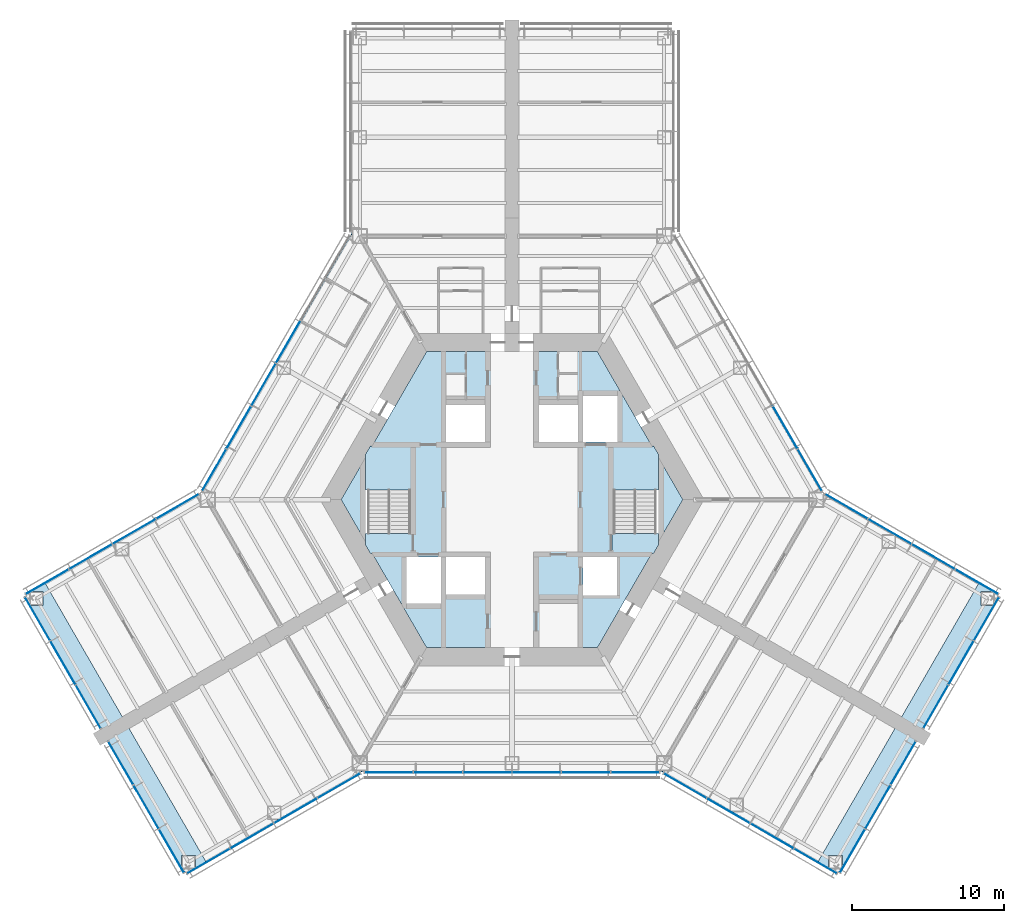
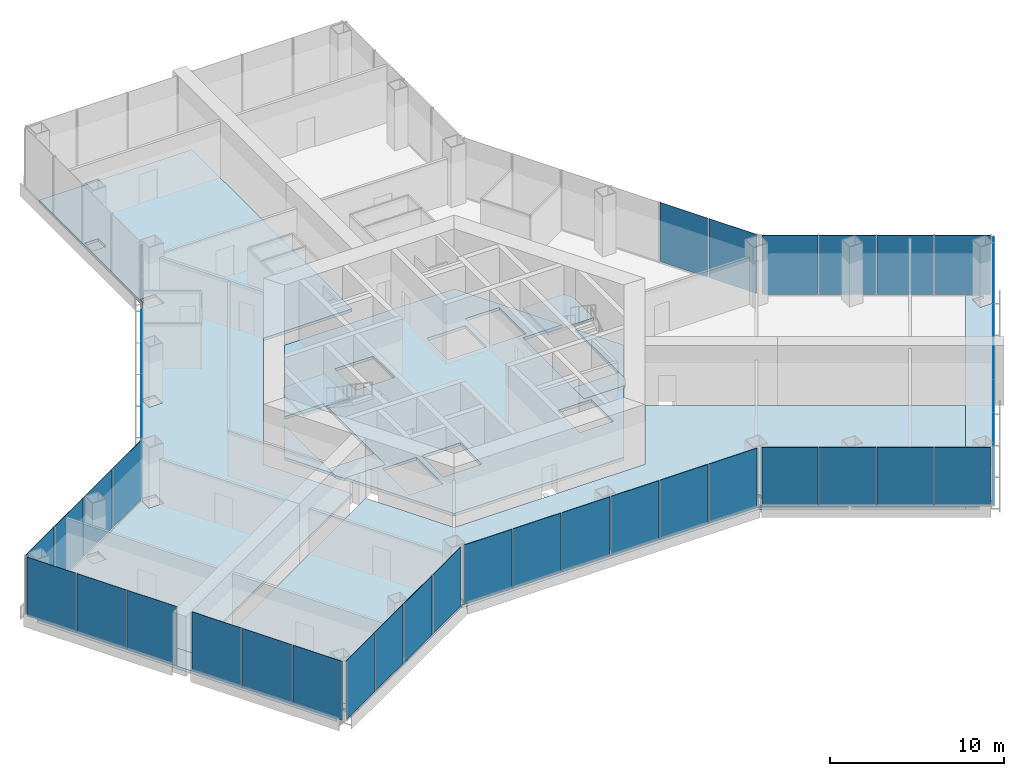
# One storey, part 9 of 16: 40 plates, 11 slabs, 13 elements without a shape of their own.
"""IFC4 building model written with IfcOpenShell, lengths in metres."""

from ifc_helpers import new_model, si_unit, direction, frame, origin, origin_2d, place, context, subcontext, project, spatial, polyline, rectangle, outline, extrude, material, layer, layer_set, type_object, element, aggregate, save


model = new_model("IFC4")

# Units and contexts
model_context = context("Model", 3, precision=1e-05, world=origin(), true_north=direction((0.0, 1.0)))
body_context = subcontext(model_context, "Body", "Model", "MODEL_VIEW")
ifc_project = project(units=[si_unit("LENGTHUNIT", "METRE"), si_unit("AREAUNIT", "SQUARE_METRE"), si_unit("VOLUMEUNIT", "CUBIC_METRE"), si_unit("PLANEANGLEUNIT", "RADIAN"), si_unit("MASSUNIT", "GRAM", prefix="KILO")], contexts=[model_context])

# Site, building, storey
site_placement = place(None, origin())
site = spatial("IfcSite", under=ifc_project, at=site_placement, CompositionType="ELEMENT")
building_placement = place(site_placement, origin())
building = spatial("IfcBuilding", under=site, at=building_placement, Name="Kasaneha Research Tower", CompositionType="ELEMENT")
storey_placement = place(building_placement, frame((0.0, 0.0, 14.199951171875)))
storey = spatial("IfcBuildingStorey", under=building, at=storey_placement, Name="L04", CompositionType="ELEMENT", Elevation=14.199951171875)

# Curtain wall, plates
ifc_material_1 = material(Name="Glass and aluminium", Category="aluminium")
curtain_wall_type = type_object("IfcCurtainWallType", Name="Wet laboratory curtain wall", PredefinedType="USERDEFINED", material=ifc_material_1)
curtain_wall_1_placement = place(storey_placement, origin())
curtain_wall_1 = element("IfcCurtainWall", 1, at=curtain_wall_1_placement, inside=storey, type_object=curtain_wall_type, Name="CW-L1 L04 run 01a", ObjectType="UNITISED CURTAIN WALL", PredefinedType="USERDEFINED")
ifc_material_2 = material(Name="Laminated double glazing", Category="glass")
ifc_layer_1 = layer(ifc_material_2, 0.030029296875)
ifc_layer_set_1 = layer_set([ifc_layer_1], Name="CW-L1 glazed panel")
plate_type = type_object("IfcPlateType", Name="CW-L1 glazed panel", PredefinedType="CURTAIN_PANEL", material=ifc_layer_set_1)
plate_1_placement = place(storey_placement, frame((-19.944091796875, -23.754638671875, 0.06494140625), z_axis=(0.0, 0.0, 1.0), x_axis=(0.866025411464, 0.499999986699, 0.0)))
plate_1 = element("IfcPlate", 2, at=plate_1_placement, type_object=plate_type, Name="CW-L1 panel 1", PredefinedType="CURTAIN_PANEL", context=body_context, shape_type="SweptSolid", body=[
    extrude(rectangle(XDim=3.21240234375, YDim=0.030029296875, at=origin_2d()), origin(), (0.0, 0.0, 1.0), 4.135009765625),
])
plate_2_placement = place(storey_placement, frame((-17.091796875, -22.107666015625, 0.06494140625), z_axis=(0.0, 0.0, 1.0), x_axis=(0.866025411464, 0.499999986699, 0.0)))
plate_2 = element("IfcPlate", 3, at=plate_2_placement, type_object=plate_type, Name="CW-L1 panel 2", PredefinedType="CURTAIN_PANEL", context=body_context, shape_type="SweptSolid", body=[
    extrude(rectangle(XDim=3.244873046875, YDim=0.030029296875, at=origin_2d()), origin(), (0.0, 0.0, 1.0), 4.135009765625),
])
plate_3_placement = place(storey_placement, frame((-14.225341796875, -20.452880859375, 0.06494140625), z_axis=(0.0, 0.0, 1.0), x_axis=(0.866025411464, 0.499999986699, 0.0)))
plate_3 = element("IfcPlate", 4, at=plate_3_placement, type_object=plate_type, Name="CW-L1 panel 3", PredefinedType="CURTAIN_PANEL", context=body_context, shape_type="SweptSolid", body=[
    extrude(rectangle(XDim=3.244873046875, YDim=0.030029296875, at=origin_2d()), origin(), (0.0, 0.0, 1.0), 4.135009765625),
])
plate_4_placement = place(storey_placement, frame((-11.373046875, -18.80615234375, 0.06494140625), z_axis=(0.0, 0.0, 1.0), x_axis=(0.866025411464, 0.499999986699, 0.0)))
plate_4 = element("IfcPlate", 5, at=plate_4_placement, type_object=plate_type, Name="CW-L1 panel 4", PredefinedType="CURTAIN_PANEL", context=body_context, shape_type="SweptSolid", body=[
    extrude(rectangle(XDim=3.21240234375, YDim=0.030029296875, at=origin_2d()), origin(), (0.0, 0.0, 1.0), 4.135009765625),
])
aggregate(curtain_wall_1, [plate_1, plate_2, plate_3, plate_4])

curtain_wall_2_placement = place(storey_placement, origin())
curtain_wall_2 = element("IfcCurtainWall", 6, at=curtain_wall_2_placement, inside=storey, type_object=curtain_wall_type, Name="CW-L1 L04 run 02a", ObjectType="UNITISED CURTAIN WALL", PredefinedType="USERDEFINED")
plate_5_placement = place(storey_placement, frame((-8.099853515625, -17.92041015625, 0.06494140625), z_axis=(0.0, 0.0, 1.0), x_axis=(1.0, 0.0, 0.0)))
plate_5 = element("IfcPlate", 7, at=plate_5_placement, type_object=plate_type, Name="CW-L1 panel 1", PredefinedType="CURTAIN_PANEL", context=body_context, shape_type="SweptSolid", body=[
    extrude(rectangle(XDim=3.14892578125, YDim=0.030029296875, at=origin_2d()), origin(), (0.0, 0.0, 1.0), 4.135009765625),
])
plate_6_placement = place(storey_placement, frame((-4.86962890625, -17.92041015625, 0.06494140625), z_axis=(0.0, 0.0, 1.0), x_axis=(1.0, 0.0, 0.0)))
plate_6 = element("IfcPlate", 8, at=plate_6_placement, type_object=plate_type, Name="CW-L1 panel 2", PredefinedType="CURTAIN_PANEL", context=body_context, shape_type="SweptSolid", body=[
    extrude(rectangle(XDim=3.181396484375, YDim=0.030029296875, at=origin_2d()), origin(), (0.0, 0.0, 1.0), 4.135009765625),
])
plate_7_placement = place(storey_placement, frame((-1.623291015625, -17.92041015625, 0.06494140625), z_axis=(0.0, 0.0, 1.0), x_axis=(1.0, 0.0, 0.0)))
plate_7 = element("IfcPlate", 9, at=plate_7_placement, type_object=plate_type, Name="CW-L1 panel 3", PredefinedType="CURTAIN_PANEL", context=body_context, shape_type="SweptSolid", body=[
    extrude(rectangle(XDim=3.181396484375, YDim=0.030029296875, at=origin_2d()), origin(), (0.0, 0.0, 1.0), 4.135009765625),
])
plate_8_placement = place(storey_placement, frame((1.623291015625, -17.92041015625, 0.06494140625), z_axis=(0.0, 0.0, 1.0), x_axis=(1.0, 0.0, 0.0)))
plate_8 = element("IfcPlate", 10, at=plate_8_placement, type_object=plate_type, Name="CW-L1 panel 4", PredefinedType="CURTAIN_PANEL", context=body_context, shape_type="SweptSolid", body=[
    extrude(rectangle(XDim=3.181396484375, YDim=0.030029296875, at=origin_2d()), origin(), (0.0, 0.0, 1.0), 4.135009765625),
])
plate_9_placement = place(storey_placement, frame((4.86962890625, -17.92041015625, 0.06494140625), z_axis=(0.0, 0.0, 1.0), x_axis=(1.0, 0.0, 0.0)))
plate_9 = element("IfcPlate", 11, at=plate_9_placement, type_object=plate_type, Name="CW-L1 panel 5", PredefinedType="CURTAIN_PANEL", context=body_context, shape_type="SweptSolid", body=[
    extrude(rectangle(XDim=3.181396484375, YDim=0.030029296875, at=origin_2d()), origin(), (0.0, 0.0, 1.0), 4.135009765625),
])
plate_10_placement = place(storey_placement, frame((8.099853515625, -17.92041015625, 0.06494140625), z_axis=(0.0, 0.0, 1.0), x_axis=(1.0, 0.0, 0.0)))
plate_10 = element("IfcPlate", 12, at=plate_10_placement, type_object=plate_type, Name="CW-L1 panel 6", PredefinedType="CURTAIN_PANEL", context=body_context, shape_type="SweptSolid", body=[
    extrude(rectangle(XDim=3.14892578125, YDim=0.030029296875, at=origin_2d()), origin(), (0.0, 0.0, 1.0), 4.135009765625),
])
aggregate(curtain_wall_2, [plate_5, plate_6, plate_7, plate_8, plate_9, plate_10])

curtain_wall_3_placement = place(storey_placement, origin())
curtain_wall_3 = element("IfcCurtainWall", 13, at=curtain_wall_3_placement, inside=storey, type_object=curtain_wall_type, Name="CW-L1 L04 run 03a", ObjectType="UNITISED CURTAIN WALL", PredefinedType="USERDEFINED")
plate_11_placement = place(storey_placement, frame((11.373046875, -18.80615234375, 0.06494140625), z_axis=(0.0, 0.0, 1.0), x_axis=(0.866025411464, -0.499999986699, 0.0)))
plate_11 = element("IfcPlate", 14, at=plate_11_placement, type_object=plate_type, Name="CW-L1 panel 1", PredefinedType="CURTAIN_PANEL", context=body_context, shape_type="SweptSolid", body=[
    extrude(rectangle(XDim=3.21240234375, YDim=0.030029296875, at=origin_2d()), origin(), (0.0, 0.0, 1.0), 4.135009765625),
])
plate_12_placement = place(storey_placement, frame((14.225341796875, -20.452880859375, 0.06494140625), z_axis=(0.0, 0.0, 1.0), x_axis=(0.866025411464, -0.499999986699, 0.0)))
plate_12 = element("IfcPlate", 15, at=plate_12_placement, type_object=plate_type, Name="CW-L1 panel 2", PredefinedType="CURTAIN_PANEL", context=body_context, shape_type="SweptSolid", body=[
    extrude(rectangle(XDim=3.244873046875, YDim=0.030029296875, at=origin_2d()), origin(), (0.0, 0.0, 1.0), 4.135009765625),
])
plate_13_placement = place(storey_placement, frame((17.091796875, -22.107666015625, 0.06494140625), z_axis=(0.0, 0.0, 1.0), x_axis=(0.866025411464, -0.499999986699, 0.0)))
plate_13 = element("IfcPlate", 16, at=plate_13_placement, type_object=plate_type, Name="CW-L1 panel 3", PredefinedType="CURTAIN_PANEL", context=body_context, shape_type="SweptSolid", body=[
    extrude(rectangle(XDim=3.244873046875, YDim=0.030029296875, at=origin_2d()), origin(), (0.0, 0.0, 1.0), 4.135009765625),
])
plate_14_placement = place(storey_placement, frame((19.944091796875, -23.754638671875, 0.06494140625), z_axis=(0.0, 0.0, 1.0), x_axis=(0.866025411464, -0.499999986699, 0.0)))
plate_14 = element("IfcPlate", 17, at=plate_14_placement, type_object=plate_type, Name="CW-L1 panel 4", PredefinedType="CURTAIN_PANEL", context=body_context, shape_type="SweptSolid", body=[
    extrude(rectangle(XDim=3.21240234375, YDim=0.030029296875, at=origin_2d()), origin(), (0.0, 0.0, 1.0), 4.135009765625),
])
aggregate(curtain_wall_3, [plate_11, plate_12, plate_13, plate_14])

curtain_wall_4_placement = place(storey_placement, origin())
curtain_wall_4 = element("IfcCurtainWall", 18, at=curtain_wall_4_placement, inside=storey, type_object=curtain_wall_type, Name="CW-L1 L04 run 04a", ObjectType="UNITISED CURTAIN WALL", PredefinedType="USERDEFINED")
plate_15_placement = place(storey_placement, frame((22.37353515625, -23.0888671875, 0.06494140625), z_axis=(0.0, 0.0, 1.0), x_axis=(0.500000011442, 0.866025397178, 0.0)))
plate_15 = element("IfcPlate", 19, at=plate_15_placement, type_object=plate_type, Name="CW-L1 panel 1", PredefinedType="CURTAIN_PANEL", context=body_context, shape_type="SweptSolid", body=[
    extrude(rectangle(XDim=3.25244140625, YDim=0.030029296875, at=origin_2d()), origin(), (0.0, 0.0, 1.0), 4.135009765625),
])
plate_16_placement = place(storey_placement, frame((24.04052734375, -20.20166015625, 0.06494140625), z_axis=(0.0, 0.0, 1.0), x_axis=(0.500000011442, 0.866025397178, 0.0)))
plate_16 = element("IfcPlate", 20, at=plate_16_placement, type_object=plate_type, Name="CW-L1 panel 2", PredefinedType="CURTAIN_PANEL", context=body_context, shape_type="SweptSolid", body=[
    extrude(rectangle(XDim=3.284912109375, YDim=0.030029296875, at=origin_2d()), origin(), (0.0, 0.0, 1.0), 4.135009765625),
])
plate_17_placement = place(storey_placement, frame((25.707275390625, -17.314697265625, 0.06494140625), z_axis=(0.0, 0.0, 1.0), x_axis=(0.500000011442, 0.866025397178, 0.0)))
plate_17 = element("IfcPlate", 21, at=plate_17_placement, type_object=plate_type, Name="CW-L1 panel 3", PredefinedType="CURTAIN_PANEL", context=body_context, shape_type="SweptSolid", body=[
    extrude(rectangle(XDim=3.25244140625, YDim=0.030029296875, at=origin_2d()), origin(), (0.0, 0.0, 1.0), 4.135009765625),
])
aggregate(curtain_wall_4, [plate_15, plate_16, plate_17])

curtain_wall_5_placement = place(storey_placement, origin())
curtain_wall_5 = element("IfcCurtainWall", 22, at=curtain_wall_5_placement, inside=storey, type_object=curtain_wall_type, Name="CW-L1 L04 run 05a", ObjectType="UNITISED CURTAIN WALL", PredefinedType="USERDEFINED")
plate_18_placement = place(storey_placement, frame((27.8486328125, -13.60595703125, 0.06494140625), z_axis=(0.0, 0.0, 1.0), x_axis=(0.500000011442, 0.866025397178, 0.0)))
plate_18 = element("IfcPlate", 23, at=plate_18_placement, type_object=plate_type, Name="CW-L1 panel 1", PredefinedType="CURTAIN_PANEL", context=body_context, shape_type="SweptSolid", body=[
    extrude(rectangle(XDim=3.25244140625, YDim=0.030029296875, at=origin_2d()), origin(), (0.0, 0.0, 1.0), 4.135009765625),
])
plate_19_placement = place(storey_placement, frame((29.515380859375, -10.71875, 0.06494140625), z_axis=(0.0, 0.0, 1.0), x_axis=(0.500000011442, 0.866025397178, 0.0)))
plate_19 = element("IfcPlate", 24, at=plate_19_placement, type_object=plate_type, Name="CW-L1 panel 2", PredefinedType="CURTAIN_PANEL", context=body_context, shape_type="SweptSolid", body=[
    extrude(rectangle(XDim=3.284912109375, YDim=0.030029296875, at=origin_2d()), origin(), (0.0, 0.0, 1.0), 4.135009765625),
])
plate_20_placement = place(storey_placement, frame((31.182373046875, -7.83154296875, 0.06494140625), z_axis=(0.0, 0.0, 1.0), x_axis=(0.500000011442, 0.866025397178, 0.0)))
plate_20 = element("IfcPlate", 25, at=plate_20_placement, type_object=plate_type, Name="CW-L1 panel 3", PredefinedType="CURTAIN_PANEL", context=body_context, shape_type="SweptSolid", body=[
    extrude(rectangle(XDim=3.25244140625, YDim=0.030029296875, at=origin_2d()), origin(), (0.0, 0.0, 1.0), 4.135009765625),
])
aggregate(curtain_wall_5, [plate_18, plate_19, plate_20])

curtain_wall_6_placement = place(storey_placement, origin())
curtain_wall_6 = element("IfcCurtainWall", 26, at=curtain_wall_6_placement, inside=storey, type_object=curtain_wall_type, Name="CW-L1 L04 run 06a", ObjectType="UNITISED CURTAIN WALL", PredefinedType="USERDEFINED")
plate_21_placement = place(storey_placement, frame((30.544189453125, -5.394775390625, 0.06494140625), z_axis=(0.0, 0.0, 1.0), x_axis=(-0.866025411464, 0.499999986699, 0.0)))
plate_21 = element("IfcPlate", 27, at=plate_21_placement, type_object=plate_type, Name="CW-L1 panel 1", PredefinedType="CURTAIN_PANEL", context=body_context, shape_type="SweptSolid", body=[
    extrude(rectangle(XDim=3.21240234375, YDim=0.030029296875, at=origin_2d()), origin(), (0.0, 0.0, 1.0), 4.135009765625),
])
plate_22_placement = place(storey_placement, frame((27.69189453125, -3.748046875, 0.06494140625), z_axis=(0.0, 0.0, 1.0), x_axis=(-0.866025411464, 0.499999986699, 0.0)))
plate_22 = element("IfcPlate", 28, at=plate_22_placement, type_object=plate_type, Name="CW-L1 panel 2", PredefinedType="CURTAIN_PANEL", context=body_context, shape_type="SweptSolid", body=[
    extrude(rectangle(XDim=3.244873046875, YDim=0.030029296875, at=origin_2d()), origin(), (0.0, 0.0, 1.0), 4.135009765625),
])
plate_23_placement = place(storey_placement, frame((24.825439453125, -2.093017578125, 0.06494140625), z_axis=(0.0, 0.0, 1.0), x_axis=(-0.866025411464, 0.499999986699, 0.0)))
plate_23 = element("IfcPlate", 29, at=plate_23_placement, type_object=plate_type, Name="CW-L1 panel 3", PredefinedType="CURTAIN_PANEL", context=body_context, shape_type="SweptSolid", body=[
    extrude(rectangle(XDim=3.244873046875, YDim=0.030029296875, at=origin_2d()), origin(), (0.0, 0.0, 1.0), 4.135009765625),
])
plate_24_placement = place(storey_placement, frame((21.97314453125, -0.4462890625, 0.06494140625), z_axis=(0.0, 0.0, 1.0), x_axis=(-0.866025411464, 0.499999986699, 0.0)))
plate_24 = element("IfcPlate", 30, at=plate_24_placement, type_object=plate_type, Name="CW-L1 panel 4", PredefinedType="CURTAIN_PANEL", context=body_context, shape_type="SweptSolid", body=[
    extrude(rectangle(XDim=3.21240234375, YDim=0.030029296875, at=origin_2d()), origin(), (0.0, 0.0, 1.0), 4.135009765625),
])
aggregate(curtain_wall_6, [plate_21, plate_22, plate_23, plate_24])

curtain_wall_7_placement = place(storey_placement, origin())
curtain_wall_7 = element("IfcCurtainWall", 31, at=curtain_wall_7_placement, inside=storey, type_object=curtain_wall_type, Name="CW-L1 L04 run 07a", ObjectType="UNITISED CURTAIN WALL", PredefinedType="USERDEFINED")
plate_25_placement = place(storey_placement, frame((19.569580078125, 1.945556640625, 0.06494140625), z_axis=(0.0, 0.0, 1.0), x_axis=(-0.49999996188, 0.866025425793, 0.0)))
plate_25 = element("IfcPlate", 32, at=plate_25_placement, type_object=plate_type, Name="CW-L1 panel 1", PredefinedType="CURTAIN_PANEL", context=body_context, shape_type="SweptSolid", body=[
    extrude(rectangle(XDim=3.14892578125, YDim=0.030029296875, at=origin_2d()), origin(), (0.0, 0.0, 1.0), 4.135009765625),
])
plate_26_placement = place(storey_placement, frame((17.954345703125, 4.7431640625, 0.06494140625), z_axis=(0.0, 0.0, 1.0), x_axis=(-0.49999996188, 0.866025425793, 0.0)))
plate_26 = element("IfcPlate", 33, at=plate_26_placement, type_object=plate_type, Name="CW-L1 panel 2", PredefinedType="CURTAIN_PANEL", context=body_context, shape_type="SweptSolid", body=[
    extrude(rectangle(XDim=3.181396484375, YDim=0.030029296875, at=origin_2d()), origin(), (0.0, 0.0, 1.0), 4.135009765625),
])
aggregate(curtain_wall_7, [plate_25, plate_26])

curtain_wall_8_placement = place(storey_placement, origin())
curtain_wall_8 = element("IfcCurtainWall", 34, at=curtain_wall_8_placement, inside=storey, type_object=curtain_wall_type, Name="CW-L1 L04 run 12a", ObjectType="UNITISED CURTAIN WALL", PredefinedType="USERDEFINED")
plate_27_placement = place(storey_placement, frame((-14.7080078125, 10.365966796875, 0.06494140625), z_axis=(0.0, 0.0, 1.0), x_axis=(-0.49999996188, -0.866025425793, 0.0)))
plate_27 = element("IfcPlate", 35, at=plate_27_placement, type_object=plate_type, Name="CW-L1 panel 3", PredefinedType="CURTAIN_PANEL", context=body_context, shape_type="SweptSolid", body=[
    extrude(rectangle(XDim=3.181396484375, YDim=0.030029296875, at=origin_2d()), origin(), (0.0, 0.0, 1.0), 4.135009765625),
])
plate_28_placement = place(storey_placement, frame((-16.331298828125, 7.554443359375, 0.06494140625), z_axis=(0.0, 0.0, 1.0), x_axis=(-0.49999996188, -0.866025425793, 0.0)))
plate_28 = element("IfcPlate", 36, at=plate_28_placement, type_object=plate_type, Name="CW-L1 panel 4", PredefinedType="CURTAIN_PANEL", context=body_context, shape_type="SweptSolid", body=[
    extrude(rectangle(XDim=3.181396484375, YDim=0.030029296875, at=origin_2d()), origin(), (0.0, 0.0, 1.0), 4.135009765625),
])
plate_29_placement = place(storey_placement, frame((-17.954345703125, 4.7431640625, 0.06494140625), z_axis=(0.0, 0.0, 1.0), x_axis=(-0.49999996188, -0.866025425793, 0.0)))
plate_29 = element("IfcPlate", 37, at=plate_29_placement, type_object=plate_type, Name="CW-L1 panel 5", PredefinedType="CURTAIN_PANEL", context=body_context, shape_type="SweptSolid", body=[
    extrude(rectangle(XDim=3.181396484375, YDim=0.030029296875, at=origin_2d()), origin(), (0.0, 0.0, 1.0), 4.135009765625),
])
plate_30_placement = place(storey_placement, frame((-19.569580078125, 1.945556640625, 0.06494140625), z_axis=(0.0, 0.0, 1.0), x_axis=(-0.49999996188, -0.866025425793, 0.0)))
plate_30 = element("IfcPlate", 38, at=plate_30_placement, type_object=plate_type, Name="CW-L1 panel 6", PredefinedType="CURTAIN_PANEL", context=body_context, shape_type="SweptSolid", body=[
    extrude(rectangle(XDim=3.14892578125, YDim=0.030029296875, at=origin_2d()), origin(), (0.0, 0.0, 1.0), 4.135009765625),
])
aggregate(curtain_wall_8, [plate_27, plate_28, plate_29, plate_30])

curtain_wall_9_placement = place(storey_placement, origin())
curtain_wall_9 = element("IfcCurtainWall", 39, at=curtain_wall_9_placement, inside=storey, type_object=curtain_wall_type, Name="CW-L1 L04 run 13a", ObjectType="UNITISED CURTAIN WALL", PredefinedType="USERDEFINED")
plate_31_placement = place(storey_placement, frame((-21.97314453125, -0.4462890625, 0.06494140625), z_axis=(0.0, 0.0, 1.0), x_axis=(-0.866025411464, -0.499999986699, 0.0)))
plate_31 = element("IfcPlate", 40, at=plate_31_placement, type_object=plate_type, Name="CW-L1 panel 1", PredefinedType="CURTAIN_PANEL", context=body_context, shape_type="SweptSolid", body=[
    extrude(rectangle(XDim=3.21240234375, YDim=0.030029296875, at=origin_2d()), origin(), (0.0, 0.0, 1.0), 4.135009765625),
])
plate_32_placement = place(storey_placement, frame((-24.825439453125, -2.093017578125, 0.06494140625), z_axis=(0.0, 0.0, 1.0), x_axis=(-0.866025411464, -0.499999986699, 0.0)))
plate_32 = element("IfcPlate", 41, at=plate_32_placement, type_object=plate_type, Name="CW-L1 panel 2", PredefinedType="CURTAIN_PANEL", context=body_context, shape_type="SweptSolid", body=[
    extrude(rectangle(XDim=3.244873046875, YDim=0.030029296875, at=origin_2d()), origin(), (0.0, 0.0, 1.0), 4.135009765625),
])
plate_33_placement = place(storey_placement, frame((-27.69189453125, -3.748046875, 0.06494140625), z_axis=(0.0, 0.0, 1.0), x_axis=(-0.866025411464, -0.499999986699, 0.0)))
plate_33 = element("IfcPlate", 42, at=plate_33_placement, type_object=plate_type, Name="CW-L1 panel 3", PredefinedType="CURTAIN_PANEL", context=body_context, shape_type="SweptSolid", body=[
    extrude(rectangle(XDim=3.244873046875, YDim=0.030029296875, at=origin_2d()), origin(), (0.0, 0.0, 1.0), 4.135009765625),
])
plate_34_placement = place(storey_placement, frame((-30.544189453125, -5.394775390625, 0.06494140625), z_axis=(0.0, 0.0, 1.0), x_axis=(-0.866025411464, -0.499999986699, 0.0)))
plate_34 = element("IfcPlate", 43, at=plate_34_placement, type_object=plate_type, Name="CW-L1 panel 4", PredefinedType="CURTAIN_PANEL", context=body_context, shape_type="SweptSolid", body=[
    extrude(rectangle(XDim=3.21240234375, YDim=0.030029296875, at=origin_2d()), origin(), (0.0, 0.0, 1.0), 4.135009765625),
])
aggregate(curtain_wall_9, [plate_31, plate_32, plate_33, plate_34])

curtain_wall_10_placement = place(storey_placement, origin())
curtain_wall_10 = element("IfcCurtainWall", 44, at=curtain_wall_10_placement, inside=storey, type_object=curtain_wall_type, Name="CW-L1 L04 run 14a", ObjectType="UNITISED CURTAIN WALL", PredefinedType="USERDEFINED")
plate_35_placement = place(storey_placement, frame((-31.182373046875, -7.83154296875, 0.06494140625), z_axis=(0.0, 0.0, 1.0), x_axis=(0.500000011442, -0.866025397178, 0.0)))
plate_35 = element("IfcPlate", 45, at=plate_35_placement, type_object=plate_type, Name="CW-L1 panel 1", PredefinedType="CURTAIN_PANEL", context=body_context, shape_type="SweptSolid", body=[
    extrude(rectangle(XDim=3.25244140625, YDim=0.030029296875, at=origin_2d()), origin(), (0.0, 0.0, 1.0), 4.135009765625),
])
plate_36_placement = place(storey_placement, frame((-29.515380859375, -10.71875, 0.06494140625), z_axis=(0.0, 0.0, 1.0), x_axis=(0.500000011442, -0.866025397178, 0.0)))
plate_36 = element("IfcPlate", 46, at=plate_36_placement, type_object=plate_type, Name="CW-L1 panel 2", PredefinedType="CURTAIN_PANEL", context=body_context, shape_type="SweptSolid", body=[
    extrude(rectangle(XDim=3.284912109375, YDim=0.030029296875, at=origin_2d()), origin(), (0.0, 0.0, 1.0), 4.135009765625),
])
plate_37_placement = place(storey_placement, frame((-27.8486328125, -13.60595703125, 0.06494140625), z_axis=(0.0, 0.0, 1.0), x_axis=(0.500000011442, -0.866025397178, 0.0)))
plate_37 = element("IfcPlate", 47, at=plate_37_placement, type_object=plate_type, Name="CW-L1 panel 3", PredefinedType="CURTAIN_PANEL", context=body_context, shape_type="SweptSolid", body=[
    extrude(rectangle(XDim=3.25244140625, YDim=0.030029296875, at=origin_2d()), origin(), (0.0, 0.0, 1.0), 4.135009765625),
])
aggregate(curtain_wall_10, [plate_35, plate_36, plate_37])

curtain_wall_11_placement = place(storey_placement, origin())
curtain_wall_11 = element("IfcCurtainWall", 48, at=curtain_wall_11_placement, inside=storey, type_object=curtain_wall_type, Name="CW-L1 L04 run 15a", ObjectType="UNITISED CURTAIN WALL", PredefinedType="USERDEFINED")
plate_38_placement = place(storey_placement, frame((-25.707275390625, -17.314697265625, 0.06494140625), z_axis=(0.0, 0.0, 1.0), x_axis=(0.500000011442, -0.866025397178, 0.0)))
plate_38 = element("IfcPlate", 49, at=plate_38_placement, type_object=plate_type, Name="CW-L1 panel 1", PredefinedType="CURTAIN_PANEL", context=body_context, shape_type="SweptSolid", body=[
    extrude(rectangle(XDim=3.25244140625, YDim=0.030029296875, at=origin_2d()), origin(), (0.0, 0.0, 1.0), 4.135009765625),
])
plate_39_placement = place(storey_placement, frame((-24.04052734375, -20.20166015625, 0.06494140625), z_axis=(0.0, 0.0, 1.0), x_axis=(0.500000011442, -0.866025397178, 0.0)))
plate_39 = element("IfcPlate", 50, at=plate_39_placement, type_object=plate_type, Name="CW-L1 panel 2", PredefinedType="CURTAIN_PANEL", context=body_context, shape_type="SweptSolid", body=[
    extrude(rectangle(XDim=3.284912109375, YDim=0.030029296875, at=origin_2d()), origin(), (0.0, 0.0, 1.0), 4.135009765625),
])
plate_40_placement = place(storey_placement, frame((-22.37353515625, -23.0888671875, 0.06494140625), z_axis=(0.0, 0.0, 1.0), x_axis=(0.500000011442, -0.866025397178, 0.0)))
plate_40 = element("IfcPlate", 51, at=plate_40_placement, type_object=plate_type, Name="CW-L1 panel 3", PredefinedType="CURTAIN_PANEL", context=body_context, shape_type="SweptSolid", body=[
    extrude(rectangle(XDim=3.25244140625, YDim=0.030029296875, at=origin_2d()), origin(), (0.0, 0.0, 1.0), 4.135009765625),
])
aggregate(curtain_wall_11, [plate_38, plate_39, plate_40])

# Slabs
ifc_material_3 = material(Name="Concrete Fc24", Category="concrete")
ifc_layer_2 = layer(ifc_material_3, 0.199951171875)
ifc_layer_set_2 = layer_set([ifc_layer_2], Name="Core floor slab 200")
slab_type_1 = type_object("IfcSlabType", Name="Core floor slab 200", PredefinedType="FLOOR", material=ifc_layer_set_2)
slab_1_placement = place(storey_placement, frame((0.0, 0.0, -0.199951171875)))
element("IfcSlab", 52, at=slab_1_placement, inside=storey, type_object=slab_type_1, Name="Core slab L04", PredefinedType="FLOOR", context=body_context, shape_type="SweptSolid", body=[
    extrude(outline(polyline([(-11.2294921875, 0.0), (-9.625, 2.779052734375), (-9.625, -2.779052734375), (-11.2294921875, 0.0)])), origin(), (0.0, 0.0, 1.0), 0.199951171875),
])
slab_2_placement = place(storey_placement, frame((0.0, 0.0, -0.199951171875)))
element("IfcSlab", 53, at=slab_2_placement, inside=storey, type_object=slab_type_1, Name="Core slab L04", PredefinedType="FLOOR", context=body_context, shape_type="SweptSolid", body=[
    extrude(outline(polyline([(-5.61474609375, 9.72509765625), (5.61474609375, 9.72509765625), (9.1943359375, 3.52490234375), (6.574951171875, 3.52490234375), (6.574951171875, -3.52490234375), (9.1943359375, -3.52490234375), (5.61474609375, -9.72509765625), (-5.61474609375, -9.72509765625), (-9.1943359375, -3.52490234375), (-6.574951171875, -3.52490234375), (-6.574951171875, 3.52490234375), (-9.1943359375, 3.52490234375), (-5.61474609375, 9.72509765625)]), holes=[polyline([(-6.925048828125, -3.77490234375), (-6.925048828125, -6.824951171875), (-4.675048828125, -6.824951171875), (-4.675048828125, -3.77490234375), (-6.925048828125, -3.77490234375)]), polyline([(4.675048828125, -3.77490234375), (4.675048828125, -6.300048828125), (6.89990234375, -6.300048828125), (6.89990234375, -3.77490234375), (4.675048828125, -3.77490234375)]), polyline([(-4.324951171875, -3.77490234375), (-4.324951171875, -6.22509765625), (-1.77490234375, -6.22509765625), (-1.77490234375, -3.77490234375), (-4.324951171875, -3.77490234375)]), polyline([(-4.324951171875, 6.22509765625), (-4.324951171875, 3.77490234375), (-1.77490234375, 3.77490234375), (-1.77490234375, 6.22509765625), (-4.324951171875, 6.22509765625)]), polyline([(1.77490234375, 6.22509765625), (1.77490234375, 3.77490234375), (4.324951171875, 3.77490234375), (4.324951171875, 6.22509765625), (1.77490234375, 6.22509765625)]), polyline([(4.675048828125, 6.824951171875), (4.675048828125, 3.77490234375), (6.925048828125, 3.77490234375), (6.925048828125, 6.824951171875), (4.675048828125, 6.824951171875)])]), origin(), (0.0, 0.0, 1.0), 0.199951171875),
])
slab_3_placement = place(storey_placement, frame((0.0, 0.0, -0.199951171875)))
element("IfcSlab", 54, at=slab_3_placement, inside=storey, type_object=slab_type_1, Name="Core slab L04", PredefinedType="FLOOR", context=body_context, shape_type="SweptSolid", body=[
    extrude(outline(polyline([(11.2294921875, 0.0), (9.625, -2.779052734375), (9.625, 2.779052734375), (11.2294921875, 0.0)])), origin(), (0.0, 0.0, 1.0), 0.199951171875),
])
ifc_material_4 = material(Name="Concrete Fc24", Category="concrete")
ifc_layer_3 = layer(ifc_material_4, 0.199951171875)
ifc_layer_set_3 = layer_set([ifc_layer_3], Name="Floor slab 200")
slab_type_2 = type_object("IfcSlabType", Name="Floor slab 200", PredefinedType="FLOOR", material=ifc_layer_set_3)
slab_4_placement = place(storey_placement, frame((0.0, 0.0, -0.199951171875)))
element("IfcSlab", 55, at=slab_4_placement, inside=storey, type_object=slab_type_2, Name="Floor slab L04 1", PredefinedType="FLOOR", context=body_context, shape_type="SweptSolid", body=[
    extrude(outline(polyline([(-25.167236328125, -15.050048828125), (-25.15869140625, -15.044921875), (-20.108642578125, -23.791748046875), (-20.808349609375, -24.19580078125), (-20.808349609375, -23.37060546875), (-21.708251953125, -23.37060546875), (-21.708251953125, -24.14111328125), (-31.633544921875, -6.949951171875), (-30.808349609375, -6.949951171875), (-30.808349609375, -6.050048828125), (-31.578857421875, -6.050048828125), (-30.65869140625, -5.518798828125), (-25.608642578125, -14.265625), (-25.6171875, -14.2705078125), (-25.167236328125, -15.050048828125)])), origin(), (0.0, 0.0, 1.0), 0.199951171875),
])
slab_5_placement = place(storey_placement, frame((0.0, 0.0, -0.199951171875)))
element("IfcSlab", 56, at=slab_5_placement, inside=storey, type_object=slab_type_2, Name="Floor slab L04 2", PredefinedType="FLOOR", context=body_context, shape_type="SweptSolid", body=[
    extrude(outline(polyline([(-25.17919921875, -2.800048828125), (-25.94970703125, -2.800048828125), (-20.5, 0.346435546875), (-20.5, -0.5), (-19.5, -0.5), (-19.5, 0.5), (-20.346435546875, 0.5), (-15.449951171875, 8.980712890625), (-15.449951171875, 8.210205078125), (-14.550048828125, 8.210205078125), (-14.550048828125, 9.1103515625), (-15.375244140625, 9.1103515625), (-10.550048828125, 17.4677734375), (-10.550048828125, 29.310546875), (-0.449951171875, 29.310546875), (-0.449951171875, 10.925048828125), (-6.3076171875, 10.925048828125), (-12.614990234375, 0.0), (-9.686279296875, -5.07275390625), (-25.608642578125, -14.265625), (-30.65869140625, -5.518798828125), (-26.0791015625, -2.874755859375), (-26.0791015625, -3.699951171875), (-25.17919921875, -3.699951171875), (-25.17919921875, -2.800048828125)]), holes=[polyline([(-9.5, 16.820556640625), (-9.5, 17.820556640625), (-10.5, 17.820556640625), (-10.5, 16.820556640625), (-9.5, 16.820556640625)]), polyline([(-10.449951171875, 23.37060546875), (-9.550048828125, 23.37060546875), (-9.550048828125, 24.2705078125), (-10.449951171875, 24.2705078125), (-10.449951171875, 23.37060546875)])]), origin(), (0.0, 0.0, 1.0), 0.199951171875),
])
slab_6_placement = place(storey_placement, frame((0.0, 0.0, -0.199951171875)))
element("IfcSlab", 57, at=slab_6_placement, inside=storey, type_object=slab_type_2, Name="Floor slab L04 4", PredefinedType="FLOOR", context=body_context, shape_type="SweptSolid", body=[
    extrude(outline(polyline([(-6.3076171875, -10.925048828125), (6.3076171875, -10.925048828125), (9.236328125, -5.852294921875), (25.15869140625, -15.044921875), (20.108642578125, -23.791748046875), (14.442626953125, -20.5205078125), (15.213134765625, -20.5205078125), (15.213134765625, -19.62060546875), (14.313232421875, -19.62060546875), (14.313232421875, -20.44580078125), (9.8525390625, -17.87060546875), (-9.8525390625, -17.87060546875), (-15.17919921875, -20.94580078125), (-15.17919921875, -20.12060546875), (-16.0791015625, -20.12060546875), (-16.0791015625, -21.0205078125), (-15.30859375, -21.0205078125), (-20.108642578125, -23.791748046875), (-25.15869140625, -15.044921875), (-9.236328125, -5.852294921875), (-6.3076171875, -10.925048828125)]), holes=[polyline([(-0.449951171875, -17.7705078125), (0.449951171875, -17.7705078125), (0.449951171875, -16.87060546875), (-0.449951171875, -16.87060546875), (-0.449951171875, -17.7705078125)]), polyline([(-9.5, -17.820556640625), (-9.5, -16.820556640625), (-10.5, -16.820556640625), (-10.5, -17.820556640625), (-9.5, -17.820556640625)]), polyline([(10.5, -17.820556640625), (10.5, -16.820556640625), (9.5, -16.820556640625), (9.5, -17.820556640625), (10.5, -17.820556640625)])]), origin(), (0.0, 0.0, 1.0), 0.199951171875),
])
slab_7_placement = place(storey_placement, frame((0.0, 0.0, -0.199951171875)))
element("IfcSlab", 58, at=slab_7_placement, inside=storey, type_object=slab_type_2, Name="Floor slab L04 6", PredefinedType="FLOOR", context=body_context, shape_type="SweptSolid", body=[
    extrude(outline(polyline([(25.167236328125, -15.050048828125), (25.6171875, -14.2705078125), (25.608642578125, -14.265625), (30.65869140625, -5.518798828125), (31.578857421875, -6.050048828125), (30.808349609375, -6.050048828125), (30.808349609375, -6.949951171875), (31.633544921875, -6.949951171875), (21.708251953125, -24.14111328125), (21.708251953125, -23.37060546875), (20.808349609375, -23.37060546875), (20.808349609375, -24.19580078125), (20.108642578125, -23.791748046875), (25.15869140625, -15.044921875), (25.167236328125, -15.050048828125)])), origin(), (0.0, 0.0, 1.0), 0.199951171875),
])

# Stair, slabs
ifc_material_5 = material(Name="Concrete Fc24", Category="concrete")
stair_type = type_object("IfcStairType", Name="Half-turn stair 24 risers", PredefinedType="HALF_TURN_STAIR", material=ifc_material_5)
stair_1_placement = place(storey_placement, origin())
stair_1 = element("IfcStair", 59, at=stair_1_placement, inside=storey, type_object=stair_type, Name="Stair 1 L04", PredefinedType="HALF_TURN_STAIR")
ifc_material_6 = material(Name="Concrete Fc24", Category="concrete")
ifc_layer_4 = layer(ifc_material_6, 0.199951171875)
ifc_layer_set_4 = layer_set([ifc_layer_4], Name="Stair 1 landing 200")
slab_type_3 = type_object("IfcSlabType", Name="Stair 1 landing 200", PredefinedType="LANDING", material=ifc_layer_set_4)
slab_8_placement = place(storey_placement, frame((0.0, 0.0, -0.199951171875)))
slab_8 = element("IfcSlab", 60, at=slab_8_placement, type_object=slab_type_3, Name="ST1-24R landing 1", PredefinedType="LANDING", context=body_context, shape_type="SweptSolid", body=[
    extrude(outline(polyline([(9.309814453125, -3.52490234375), (6.574951171875, -3.52490234375), (6.574951171875, -2.22509765625), (9.625, -2.22509765625), (9.625, -2.97900390625), (9.309814453125, -3.52490234375)])), origin(), (0.0, 0.0, 1.0), 0.199951171875),
])
slab_9_placement = place(storey_placement, frame((0.0, 0.0, 1.900146484375)))
slab_9 = element("IfcSlab", 61, at=slab_9_placement, type_object=slab_type_3, Name="ST1-24R landing 2", PredefinedType="LANDING", context=body_context, shape_type="SweptSolid", body=[
    extrude(outline(polyline([(6.574951171875, 3.52490234375), (9.309814453125, 3.52490234375), (9.625, 2.97900390625), (9.625, 0.635009765625), (6.574951171875, 0.635009765625), (6.574951171875, 3.52490234375)])), origin(), (0.0, 0.0, 1.0), 0.199951171875),
])
aggregate(stair_1, [slab_8, slab_9])

stair_2_placement = place(storey_placement, origin())
stair_2 = element("IfcStair", 62, at=stair_2_placement, inside=storey, type_object=stair_type, Name="Stair 2 L04", PredefinedType="HALF_TURN_STAIR")
ifc_material_7 = material(Name="Concrete Fc24", Category="concrete")
ifc_layer_5 = layer(ifc_material_7, 0.199951171875)
ifc_layer_set_5 = layer_set([ifc_layer_5], Name="Stair 2 landing 200")
slab_type_4 = type_object("IfcSlabType", Name="Stair 2 landing 200", PredefinedType="LANDING", material=ifc_layer_set_5)
slab_10_placement = place(storey_placement, frame((0.0, 0.0, -0.199951171875)))
slab_10 = element("IfcSlab", 63, at=slab_10_placement, type_object=slab_type_4, Name="ST2-24R landing 1", PredefinedType="LANDING", context=body_context, shape_type="SweptSolid", body=[
    extrude(outline(polyline([(-6.574951171875, -3.52490234375), (-9.309814453125, -3.52490234375), (-9.625, -2.97900390625), (-9.625, -2.22509765625), (-6.574951171875, -2.22509765625), (-6.574951171875, -3.52490234375)])), origin(), (0.0, 0.0, 1.0), 0.199951171875),
])
slab_11_placement = place(storey_placement, frame((0.0, 0.0, 1.900146484375)))
slab_11 = element("IfcSlab", 64, at=slab_11_placement, type_object=slab_type_4, Name="ST2-24R landing 2", PredefinedType="LANDING", context=body_context, shape_type="SweptSolid", body=[
    extrude(outline(polyline([(-6.574951171875, 0.635009765625), (-9.625, 0.635009765625), (-9.625, 2.97900390625), (-9.309814453125, 3.52490234375), (-6.574951171875, 3.52490234375), (-6.574951171875, 0.635009765625)])), origin(), (0.0, 0.0, 1.0), 0.199951171875),
])
aggregate(stair_2, [slab_10, slab_11])

save(model, "model.ifc")
